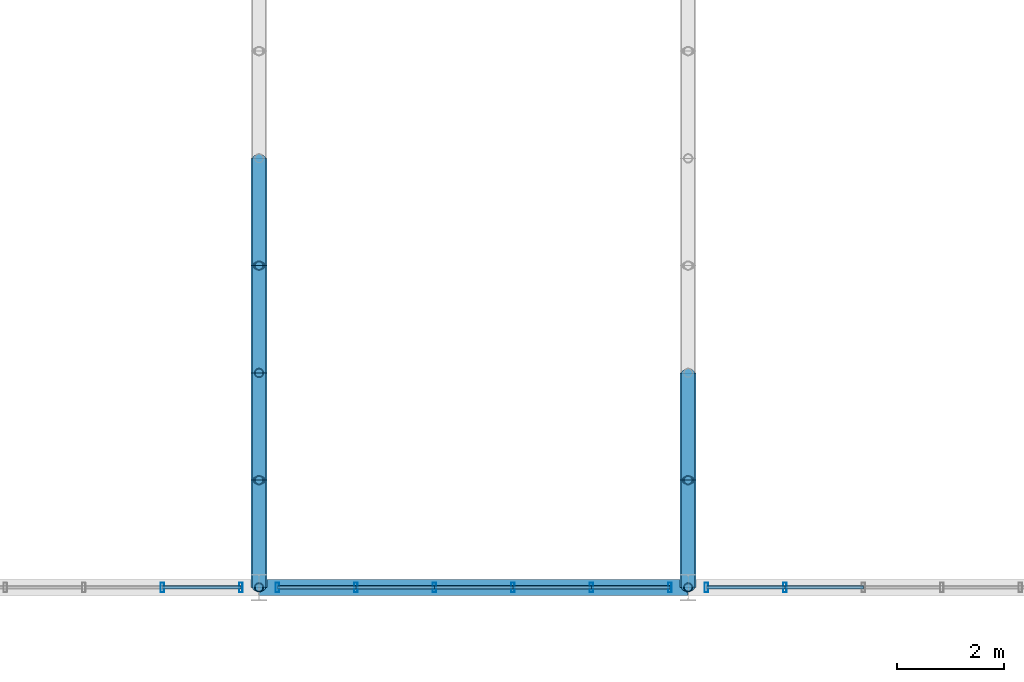
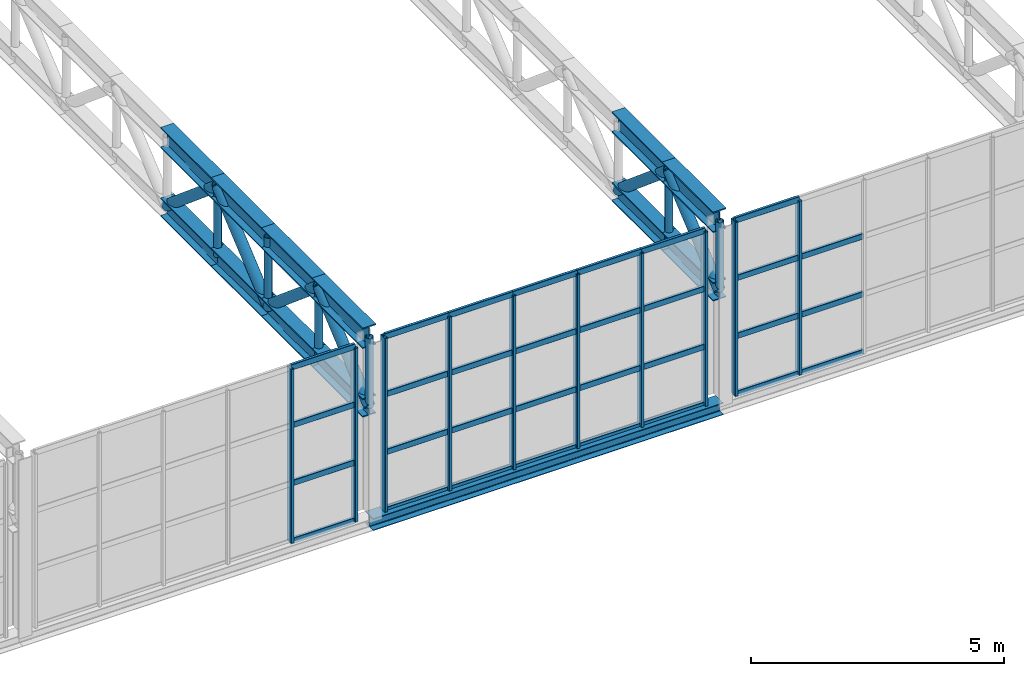
# One storey, part 78 of 143: 65 members, 1 beam, 3 elements without a shape of their own.
"""IFC4 building model written with IfcOpenShell, lengths in metres."""

from ifc_helpers import new_model, si_unit, derived_unit, direction, frame, origin, origin_2d, place, context, subcontext, project, spatial, hollow_rectangle, hollow_circle, i_section, extrude, material, material_profile, profile_set, type_object, element, aggregate, save


model = new_model("IFC4")

# Units and contexts
model_context = context("Model", 3, precision=1e-05, world=origin(), true_north=direction((0.0, 1.0)))
body_context = subcontext(model_context, "Body", "Model", "MODEL_VIEW")
ifc_project = project(units=[si_unit("LENGTHUNIT", "METRE"), si_unit("AREAUNIT", "SQUARE_METRE"), si_unit("VOLUMEUNIT", "CUBIC_METRE"), si_unit("PLANEANGLEUNIT", "RADIAN"), si_unit("MASSUNIT", "GRAM", prefix="KILO"), derived_unit("THERMALTRANSMITTANCEUNIT", [(si_unit("POWERUNIT", "WATT"), 1), (si_unit("LENGTHUNIT", "METRE"), -2), (si_unit("THERMODYNAMICTEMPERATUREUNIT", "KELVIN"), -1)])], contexts=[model_context])

# Site, building, storey
site_placement = place(None, origin())
site = spatial("IfcSite", under=ifc_project, at=site_placement, CompositionType="ELEMENT")
building_placement = place(site_placement, origin())
building = spatial("IfcBuilding", under=site, at=building_placement, Name="Keldorne Ridge Multi-Sports Centre", CompositionType="ELEMENT")
storey_placement = place(building_placement, frame((0.0, 0.0, 4.800048828125)))
storey = spatial("IfcBuildingStorey", under=building, at=storey_placement, Name="L01", CompositionType="ELEMENT", Elevation=4.800048828125)

# Beam
ifc_material_1 = material(Name="Steel S355", Category="steel")
ifc_material_profile_1 = material_profile(ifc_material_1, i_section(OverallWidth=0.300048828125, OverallDepth=0.2900390625, WebThickness=0.008544921875, FlangeThickness=0.013916015625, FilletRadius=0.027099609375, at=origin_2d()), Name="HEA 300")
ifc_profile_set_1 = profile_set([ifc_material_profile_1], Name="Steel S355")
beam_type = type_object("IfcBeamType", Name="BM-SP-04", PredefinedType="SPANDREL", material=ifc_profile_set_1)
beam_placement = place(storey_placement, frame((136.0, 6.0, -0.150146484375), z_axis=(1.0, 0.0, 0.0), x_axis=(0.0, 1.0, 0.0)))
element("IfcBeam", 1, at=beam_placement, inside=storey, type_object=beam_type, Name="Stacked Courts spandrel L01.6.5", PredefinedType="SPANDREL", context=body_context, shape_type="SweptSolid", body=[
    extrude(i_section(OverallWidth=0.300048828125, OverallDepth=0.2900390625, WebThickness=0.008544921875, FlangeThickness=0.013916015625, FilletRadius=0.027099609375, at=origin_2d()), origin(), (0.0, 0.0, 1.0), 8.0),
])

# Curtain wall, members
ifc_material_2 = material(Name="Anodized aluminium", Category="aluminium")
curtain_wall_type_1 = type_object("IfcCurtainWallType", Name="CW-CW-02", PredefinedType="NOTDEFINED", material=ifc_material_2)
curtain_wall_1_placement = place(storey_placement, origin())
curtain_wall_1 = element("IfcCurtainWall", 2, at=curtain_wall_1_placement, inside=storey, type_object=curtain_wall_type_1, Name="Lower Courts high clerestory 106", PredefinedType="NOTDEFINED")
ifc_material_profile_2 = material_profile(ifc_material_2, hollow_rectangle(XDim=0.06494140625, YDim=0.179931640625, WallThickness=0.00439453125, InnerFilletRadius=0.00439453125, OuterFilletRadius=0.009033203125, at=origin_2d()), Name="ALU MULLION 180x65x4.5")
ifc_profile_set_2 = profile_set([ifc_material_profile_2], Name="Anodized aluminium")
member_type_1 = type_object("IfcMemberType", Name="MEM-ML-01", PredefinedType="MULLION", material=ifc_profile_set_2)
member_1_placement = place(storey_placement, frame((134.196044921875, 6.0, 0.0), z_axis=(0.0, 0.0, 1.0), x_axis=(1.0, 0.0, 0.0)))
member_1 = element("IfcMember", 3, at=member_1_placement, type_object=member_type_1, Name="CW-106 vertical mullion 5", PredefinedType="MULLION", context=body_context, shape_type="SweptSolid", body=[
    extrude(hollow_rectangle(XDim=0.06494140625, YDim=0.179931640625, WallThickness=0.00439453125, InnerFilletRadius=0.00439453125, OuterFilletRadius=0.009033203125, at=origin_2d()), origin(), (0.0, 0.0, 1.0), 4.199951171875),
])
member_2_placement = place(storey_placement, frame((135.659912109375, 6.0, 0.0), z_axis=(0.0, 0.0, 1.0), x_axis=(1.0, 0.0, 0.0)))
member_2 = element("IfcMember", 4, at=member_2_placement, type_object=member_type_1, Name="CW-106 vertical mullion 6", PredefinedType="MULLION", context=body_context, shape_type="SweptSolid", body=[
    extrude(hollow_rectangle(XDim=0.06494140625, YDim=0.179931640625, WallThickness=0.00439453125, InnerFilletRadius=0.00439453125, OuterFilletRadius=0.009033203125, at=origin_2d()), origin(), (0.0, 0.0, 1.0), 4.199951171875),
])

curtain_wall_type_2 = type_object("IfcCurtainWallType", Name="CW-CW-01", PredefinedType="NOTDEFINED", material=ifc_material_2)
curtain_wall_2_placement = place(storey_placement, origin())
curtain_wall_2 = element("IfcCurtainWall", 5, at=curtain_wall_2_placement, inside=storey, type_object=curtain_wall_type_2, Name="Lower Courts high clerestory 113", PredefinedType="NOTDEFINED")
member_3_placement = place(storey_placement, frame((136.340087890625, 6.0, 0.0), z_axis=(0.0, 0.0, 1.0), x_axis=(1.0, 0.0, 0.0)))
member_3 = element("IfcMember", 6, at=member_3_placement, type_object=member_type_1, Name="CW-113 vertical mullion 1", PredefinedType="MULLION", context=body_context, shape_type="SweptSolid", body=[
    extrude(hollow_rectangle(XDim=0.06494140625, YDim=0.179931640625, WallThickness=0.00439453125, InnerFilletRadius=0.00439453125, OuterFilletRadius=0.009033203125, at=origin_2d()), origin(), (0.0, 0.0, 1.0), 4.199951171875),
])
member_4_placement = place(storey_placement, frame((137.803955078125, 6.0, 0.0), z_axis=(0.0, 0.0, 1.0), x_axis=(1.0, 0.0, 0.0)))
member_4 = element("IfcMember", 7, at=member_4_placement, type_object=member_type_1, Name="CW-113 vertical mullion 2", PredefinedType="MULLION", context=body_context, shape_type="SweptSolid", body=[
    extrude(hollow_rectangle(XDim=0.06494140625, YDim=0.179931640625, WallThickness=0.00439453125, InnerFilletRadius=0.00439453125, OuterFilletRadius=0.009033203125, at=origin_2d()), origin(), (0.0, 0.0, 1.0), 4.199951171875),
])
member_5_placement = place(storey_placement, frame((139.26806640625, 6.0, 0.0), z_axis=(0.0, 0.0, 1.0), x_axis=(1.0, 0.0, 0.0)))
member_5 = element("IfcMember", 8, at=member_5_placement, type_object=member_type_1, Name="CW-113 vertical mullion 3", PredefinedType="MULLION", context=body_context, shape_type="SweptSolid", body=[
    extrude(hollow_rectangle(XDim=0.06494140625, YDim=0.179931640625, WallThickness=0.00439453125, InnerFilletRadius=0.00439453125, OuterFilletRadius=0.009033203125, at=origin_2d()), origin(), (0.0, 0.0, 1.0), 4.199951171875),
])
member_6_placement = place(storey_placement, frame((140.73193359375, 6.0, 0.0), z_axis=(0.0, 0.0, 1.0), x_axis=(1.0, 0.0, 0.0)))
member_6 = element("IfcMember", 9, at=member_6_placement, type_object=member_type_1, Name="CW-113 vertical mullion 4", PredefinedType="MULLION", context=body_context, shape_type="SweptSolid", body=[
    extrude(hollow_rectangle(XDim=0.06494140625, YDim=0.179931640625, WallThickness=0.00439453125, InnerFilletRadius=0.00439453125, OuterFilletRadius=0.009033203125, at=origin_2d()), origin(), (0.0, 0.0, 1.0), 4.199951171875),
])
member_7_placement = place(storey_placement, frame((142.196044921875, 6.0, 0.0), z_axis=(0.0, 0.0, 1.0), x_axis=(1.0, 0.0, 0.0)))
member_7 = element("IfcMember", 10, at=member_7_placement, type_object=member_type_1, Name="CW-113 vertical mullion 5", PredefinedType="MULLION", context=body_context, shape_type="SweptSolid", body=[
    extrude(hollow_rectangle(XDim=0.06494140625, YDim=0.179931640625, WallThickness=0.00439453125, InnerFilletRadius=0.00439453125, OuterFilletRadius=0.009033203125, at=origin_2d()), origin(), (0.0, 0.0, 1.0), 4.199951171875),
])
member_8_placement = place(storey_placement, frame((143.659912109375, 6.0, 0.0), z_axis=(0.0, 0.0, 1.0), x_axis=(1.0, 0.0, 0.0)))
member_8 = element("IfcMember", 11, at=member_8_placement, type_object=member_type_1, Name="CW-113 vertical mullion 6", PredefinedType="MULLION", context=body_context, shape_type="SweptSolid", body=[
    extrude(hollow_rectangle(XDim=0.06494140625, YDim=0.179931640625, WallThickness=0.00439453125, InnerFilletRadius=0.00439453125, OuterFilletRadius=0.009033203125, at=origin_2d()), origin(), (0.0, 0.0, 1.0), 4.199951171875),
])

curtain_wall_type_3 = type_object("IfcCurtainWallType", Name="CW-CW-07", PredefinedType="NOTDEFINED", material=ifc_material_2)
curtain_wall_3_placement = place(storey_placement, origin())
curtain_wall_3 = element("IfcCurtainWall", 12, at=curtain_wall_3_placement, inside=storey, type_object=curtain_wall_type_3, Name="Lower Courts high clerestory 119", PredefinedType="NOTDEFINED")
member_9_placement = place(storey_placement, frame((144.340087890625, 6.0, 0.0), z_axis=(0.0, 0.0, 1.0), x_axis=(1.0, 0.0, 0.0)))
member_9 = element("IfcMember", 13, at=member_9_placement, type_object=member_type_1, Name="CW-119 vertical mullion 1", PredefinedType="MULLION", context=body_context, shape_type="SweptSolid", body=[
    extrude(hollow_rectangle(XDim=0.06494140625, YDim=0.179931640625, WallThickness=0.00439453125, InnerFilletRadius=0.00439453125, OuterFilletRadius=0.009033203125, at=origin_2d()), origin(), (0.0, 0.0, 1.0), 4.199951171875),
])
member_10_placement = place(storey_placement, frame((145.803955078125, 6.0, 0.0), z_axis=(0.0, 0.0, 1.0), x_axis=(1.0, 0.0, 0.0)))
member_10 = element("IfcMember", 14, at=member_10_placement, type_object=member_type_1, Name="CW-119 vertical mullion 2", PredefinedType="MULLION", context=body_context, shape_type="SweptSolid", body=[
    extrude(hollow_rectangle(XDim=0.06494140625, YDim=0.179931640625, WallThickness=0.00439453125, InnerFilletRadius=0.00439453125, OuterFilletRadius=0.009033203125, at=origin_2d()), origin(), (0.0, 0.0, 1.0), 4.199951171875),
])

# Members
ifc_material_profile_3 = material_profile(ifc_material_1, i_section(OverallWidth=0.300048828125, OverallDepth=0.5, WebThickness=0.014404296875, FlangeThickness=0.028076171875, FilletRadius=0.027099609375, at=origin_2d()), Name="HEB 500")
ifc_profile_set_3 = profile_set([ifc_material_profile_3], Name="Steel S355")
member_type_2 = type_object("IfcMemberType", Name="MEM-TC-03", PredefinedType="CHORD", material=ifc_profile_set_3)
for number, where, z_axis, x_axis, name in (
    (15, (136.0, 6.0, 4.31005859375), (0.0, 1.0, 0.0), (-1.0, 0.0, 0.0), "Stacked Courts Warren TRUSS WT-L02-05 top chord 1"),
    (16, (136.0, 8.0, 4.31005859375), (0.0, 1.0, 0.0), (-1.0, 0.0, 0.0), "Stacked Courts Warren TRUSS WT-L02-05 top chord 2"),
    (17, (136.0, 10.0, 4.31005859375), (0.0, 1.0, 0.0), (-1.0, 0.0, 0.0), "Stacked Courts Warren TRUSS WT-L02-05 top chord 3"),
    (18, (136.0, 12.0, 4.31005859375), (0.0, 1.0, 0.0), (-1.0, 0.0, 0.0), "Stacked Courts Warren TRUSS WT-L02-05 top chord 4"),
    (19, (144.0, 6.0, 4.31005859375), (0.0, 1.0, 0.0), (-1.0, 0.0, 0.0), "Stacked Courts Warren TRUSS WT-L02-06 top chord 1"),
    (20, (144.0, 8.0, 4.31005859375), (0.0, 1.0, 0.0), (-1.0, 0.0, 0.0), "Stacked Courts Warren TRUSS WT-L02-06 top chord 2"),
):
    element("IfcMember", number, at=place(storey_placement, frame(where, z_axis=z_axis, x_axis=x_axis)), inside=storey, type_object=member_type_2, Name=name, PredefinedType="CHORD", context=body_context, shape_type="SweptSolid", body=[
        extrude(i_section(OverallWidth=0.300048828125, OverallDepth=0.5, WebThickness=0.014404296875, FlangeThickness=0.028076171875, FilletRadius=0.027099609375, at=origin_2d()), origin(), (0.0, 0.0, 1.0), 2.0),
    ])
ifc_material_profile_4 = material_profile(ifc_material_1, i_section(OverallWidth=0.300048828125, OverallDepth=0.449951171875, WebThickness=0.013916015625, FlangeThickness=0.02587890625, FilletRadius=0.027099609375, at=origin_2d()), Name="HEB 450")
ifc_profile_set_4 = profile_set([ifc_material_profile_4], Name="Steel S355")
member_type_3 = type_object("IfcMemberType", Name="MEM-TC-04", PredefinedType="CHORD", material=ifc_profile_set_4)
for number, where, z_axis, x_axis, name in (
    (21, (136.0, 6.0, 2.6298828125), (0.0, 1.0, 0.0), (-1.0, 0.0, 0.0), "Stacked Courts Warren TRUSS WT-L02-05 bottom chord 1"),
    (22, (136.0, 8.0, 2.6298828125), (0.0, 1.0, 0.0), (-1.0, 0.0, 0.0), "Stacked Courts Warren TRUSS WT-L02-05 bottom chord 2"),
    (23, (136.0, 10.0, 2.6298828125), (0.0, 1.0, 0.0), (-1.0, 0.0, 0.0), "Stacked Courts Warren TRUSS WT-L02-05 bottom chord 3"),
    (24, (136.0, 12.0, 2.6298828125), (0.0, 1.0, 0.0), (-1.0, 0.0, 0.0), "Stacked Courts Warren TRUSS WT-L02-05 bottom chord 4"),
    (25, (144.0, 6.0, 2.6298828125), (0.0, 1.0, 0.0), (-1.0, 0.0, 0.0), "Stacked Courts Warren TRUSS WT-L02-06 bottom chord 1"),
    (26, (144.0, 8.0, 2.6298828125), (0.0, 1.0, 0.0), (-1.0, 0.0, 0.0), "Stacked Courts Warren TRUSS WT-L02-06 bottom chord 2"),
):
    element("IfcMember", number, at=place(storey_placement, frame(where, z_axis=z_axis, x_axis=x_axis)), inside=storey, type_object=member_type_3, Name=name, PredefinedType="CHORD", context=body_context, shape_type="SweptSolid", body=[
        extrude(i_section(OverallWidth=0.300048828125, OverallDepth=0.449951171875, WebThickness=0.013916015625, FlangeThickness=0.02587890625, FilletRadius=0.027099609375, at=origin_2d()), origin(), (0.0, 0.0, 1.0), 2.0),
    ])
ifc_material_profile_5 = material_profile(ifc_material_1, hollow_circle(Radius=0.122314453125, WallThickness=0.012451171875, at=origin_2d()), Name="CHS 244.5x12.5")
ifc_profile_set_5 = profile_set([ifc_material_profile_5], Name="Steel S355")
member_type_4 = type_object("IfcMemberType", Name="MEM-TD-02", PredefinedType="BRACE", material=ifc_profile_set_5)
for number, where, z_axis, x_axis, name in (
    (27, (136.0, 6.0, 2.6298828125), (0.0, 0.765671721121, 0.643231541108), (-1.0, 0.0, 0.0), "Stacked Courts Warren TRUSS WT-L02-05 diagonal 1"),
    (28, (136.0, 8.0, 4.31005859375), (0.0, 0.765671721121, -0.643231541108), (-1.0, 0.0, 0.0), "Stacked Courts Warren TRUSS WT-L02-05 diagonal 2"),
    (29, (136.0, 10.0, 2.6298828125), (0.0, 0.765671721121, 0.643231541108), (-1.0, 0.0, 0.0), "Stacked Courts Warren TRUSS WT-L02-05 diagonal 3"),
    (30, (136.0, 12.0, 4.31005859375), (0.0, 0.765671721121, -0.643231541108), (-1.0, 0.0, 0.0), "Stacked Courts Warren TRUSS WT-L02-05 diagonal 4"),
    (31, (144.0, 6.0, 2.6298828125), (0.0, 0.765671721121, 0.643231541108), (-1.0, 0.0, 0.0), "Stacked Courts Warren TRUSS WT-L02-06 diagonal 1"),
    (32, (144.0, 8.0, 4.31005859375), (0.0, 0.765671721121, -0.643231541108), (-1.0, 0.0, 0.0), "Stacked Courts Warren TRUSS WT-L02-06 diagonal 2"),
):
    element("IfcMember", number, at=place(storey_placement, frame(where, z_axis=z_axis, x_axis=x_axis)), inside=storey, type_object=member_type_4, Name=name, PredefinedType="BRACE", context=body_context, shape_type="SweptSolid", body=[
        extrude(hollow_circle(Radius=0.122314453125, WallThickness=0.012451171875, at=origin_2d()), origin(), (0.0, 0.0, 1.0), 2.612060546875),
    ])

# Member
ifc_material_profile_6 = material_profile(ifc_material_2, hollow_rectangle(XDim=0.06494140625, YDim=0.139892578125, WallThickness=0.00439453125, InnerFilletRadius=0.00439453125, OuterFilletRadius=0.009033203125, at=origin_2d()), Name="ALU TRANSOM 140x65x4.5")
ifc_profile_set_6 = profile_set([ifc_material_profile_6], Name="Anodized aluminium")
member_type_5 = type_object("IfcMemberType", Name="MEM-TR-01", PredefinedType="USERDEFINED", material=ifc_profile_set_6)
member_11_placement = place(storey_placement, frame((134.196044921875, 6.0, 0.0), z_axis=(1.0, 0.0, 0.0), x_axis=(0.0, 1.0, 0.0)))
member_11 = element("IfcMember", 33, at=member_11_placement, type_object=member_type_5, Name="CW-106 transom 5.1", ObjectType="TRANSOM", PredefinedType="USERDEFINED", context=body_context, shape_type="SweptSolid", body=[
    extrude(hollow_rectangle(XDim=0.06494140625, YDim=0.139892578125, WallThickness=0.00439453125, InnerFilletRadius=0.00439453125, OuterFilletRadius=0.009033203125, at=origin_2d()), origin(), (0.0, 0.0, 1.0), 1.4638671875),
])

member_12_placement = place(storey_placement, frame((134.196044921875, 6.0, 1.39990234375), z_axis=(1.0, 0.0, 0.0), x_axis=(0.0, 1.0, 0.0)))
member_12 = element("IfcMember", 34, at=member_12_placement, type_object=member_type_5, Name="CW-106 transom 5.2", ObjectType="TRANSOM", PredefinedType="USERDEFINED", context=body_context, shape_type="SweptSolid", body=[
    extrude(hollow_rectangle(XDim=0.06494140625, YDim=0.139892578125, WallThickness=0.00439453125, InnerFilletRadius=0.00439453125, OuterFilletRadius=0.009033203125, at=origin_2d()), origin(), (0.0, 0.0, 1.0), 1.4638671875),
])

member_13_placement = place(storey_placement, frame((134.196044921875, 6.0, 2.800048828125), z_axis=(1.0, 0.0, 0.0), x_axis=(0.0, 1.0, 0.0)))
member_13 = element("IfcMember", 35, at=member_13_placement, type_object=member_type_5, Name="CW-106 transom 5.3", ObjectType="TRANSOM", PredefinedType="USERDEFINED", context=body_context, shape_type="SweptSolid", body=[
    extrude(hollow_rectangle(XDim=0.06494140625, YDim=0.139892578125, WallThickness=0.00439453125, InnerFilletRadius=0.00439453125, OuterFilletRadius=0.009033203125, at=origin_2d()), origin(), (0.0, 0.0, 1.0), 1.4638671875),
])

member_14_placement = place(storey_placement, frame((134.196044921875, 6.0, 4.199951171875), z_axis=(1.0, 0.0, 0.0), x_axis=(0.0, 1.0, 0.0)))
member_14 = element("IfcMember", 36, at=member_14_placement, type_object=member_type_5, Name="CW-106 transom 5.4", ObjectType="TRANSOM", PredefinedType="USERDEFINED", context=body_context, shape_type="SweptSolid", body=[
    extrude(hollow_rectangle(XDim=0.06494140625, YDim=0.139892578125, WallThickness=0.00439453125, InnerFilletRadius=0.00439453125, OuterFilletRadius=0.009033203125, at=origin_2d()), origin(), (0.0, 0.0, 1.0), 1.4638671875),
])

aggregate(curtain_wall_1, [member_1, member_2, member_11, member_12, member_13, member_14])

member_15_placement = place(storey_placement, frame((136.340087890625, 6.0, 0.0), z_axis=(1.0, 0.0, 0.0), x_axis=(0.0, 1.0, 0.0)))
member_15 = element("IfcMember", 37, at=member_15_placement, type_object=member_type_5, Name="CW-113 transom 1.1", ObjectType="TRANSOM", PredefinedType="USERDEFINED", context=body_context, shape_type="SweptSolid", body=[
    extrude(hollow_rectangle(XDim=0.06494140625, YDim=0.139892578125, WallThickness=0.00439453125, InnerFilletRadius=0.00439453125, OuterFilletRadius=0.009033203125, at=origin_2d()), origin(), (0.0, 0.0, 1.0), 1.4638671875),
])

member_16_placement = place(storey_placement, frame((136.340087890625, 6.0, 1.39990234375), z_axis=(1.0, 0.0, 0.0), x_axis=(0.0, 1.0, 0.0)))
member_16 = element("IfcMember", 38, at=member_16_placement, type_object=member_type_5, Name="CW-113 transom 1.2", ObjectType="TRANSOM", PredefinedType="USERDEFINED", context=body_context, shape_type="SweptSolid", body=[
    extrude(hollow_rectangle(XDim=0.06494140625, YDim=0.139892578125, WallThickness=0.00439453125, InnerFilletRadius=0.00439453125, OuterFilletRadius=0.009033203125, at=origin_2d()), origin(), (0.0, 0.0, 1.0), 1.4638671875),
])

member_17_placement = place(storey_placement, frame((136.340087890625, 6.0, 2.800048828125), z_axis=(1.0, 0.0, 0.0), x_axis=(0.0, 1.0, 0.0)))
member_17 = element("IfcMember", 39, at=member_17_placement, type_object=member_type_5, Name="CW-113 transom 1.3", ObjectType="TRANSOM", PredefinedType="USERDEFINED", context=body_context, shape_type="SweptSolid", body=[
    extrude(hollow_rectangle(XDim=0.06494140625, YDim=0.139892578125, WallThickness=0.00439453125, InnerFilletRadius=0.00439453125, OuterFilletRadius=0.009033203125, at=origin_2d()), origin(), (0.0, 0.0, 1.0), 1.4638671875),
])

member_18_placement = place(storey_placement, frame((136.340087890625, 6.0, 4.199951171875), z_axis=(1.0, 0.0, 0.0), x_axis=(0.0, 1.0, 0.0)))
member_18 = element("IfcMember", 40, at=member_18_placement, type_object=member_type_5, Name="CW-113 transom 1.4", ObjectType="TRANSOM", PredefinedType="USERDEFINED", context=body_context, shape_type="SweptSolid", body=[
    extrude(hollow_rectangle(XDim=0.06494140625, YDim=0.139892578125, WallThickness=0.00439453125, InnerFilletRadius=0.00439453125, OuterFilletRadius=0.009033203125, at=origin_2d()), origin(), (0.0, 0.0, 1.0), 1.4638671875),
])

member_19_placement = place(storey_placement, frame((137.803955078125, 6.0, 0.0), z_axis=(1.0, 0.0, 0.0), x_axis=(0.0, 1.0, 0.0)))
member_19 = element("IfcMember", 41, at=member_19_placement, type_object=member_type_5, Name="CW-113 transom 2.1", ObjectType="TRANSOM", PredefinedType="USERDEFINED", context=body_context, shape_type="SweptSolid", body=[
    extrude(hollow_rectangle(XDim=0.06494140625, YDim=0.139892578125, WallThickness=0.00439453125, InnerFilletRadius=0.00439453125, OuterFilletRadius=0.009033203125, at=origin_2d()), origin(), (0.0, 0.0, 1.0), 1.464111328125),
])

member_20_placement = place(storey_placement, frame((137.803955078125, 6.0, 1.39990234375), z_axis=(1.0, 0.0, 0.0), x_axis=(0.0, 1.0, 0.0)))
member_20 = element("IfcMember", 42, at=member_20_placement, type_object=member_type_5, Name="CW-113 transom 2.2", ObjectType="TRANSOM", PredefinedType="USERDEFINED", context=body_context, shape_type="SweptSolid", body=[
    extrude(hollow_rectangle(XDim=0.06494140625, YDim=0.139892578125, WallThickness=0.00439453125, InnerFilletRadius=0.00439453125, OuterFilletRadius=0.009033203125, at=origin_2d()), origin(), (0.0, 0.0, 1.0), 1.464111328125),
])

member_21_placement = place(storey_placement, frame((137.803955078125, 6.0, 2.800048828125), z_axis=(1.0, 0.0, 0.0), x_axis=(0.0, 1.0, 0.0)))
member_21 = element("IfcMember", 43, at=member_21_placement, type_object=member_type_5, Name="CW-113 transom 2.3", ObjectType="TRANSOM", PredefinedType="USERDEFINED", context=body_context, shape_type="SweptSolid", body=[
    extrude(hollow_rectangle(XDim=0.06494140625, YDim=0.139892578125, WallThickness=0.00439453125, InnerFilletRadius=0.00439453125, OuterFilletRadius=0.009033203125, at=origin_2d()), origin(), (0.0, 0.0, 1.0), 1.464111328125),
])

member_22_placement = place(storey_placement, frame((137.803955078125, 6.0, 4.199951171875), z_axis=(1.0, 0.0, 0.0), x_axis=(0.0, 1.0, 0.0)))
member_22 = element("IfcMember", 44, at=member_22_placement, type_object=member_type_5, Name="CW-113 transom 2.4", ObjectType="TRANSOM", PredefinedType="USERDEFINED", context=body_context, shape_type="SweptSolid", body=[
    extrude(hollow_rectangle(XDim=0.06494140625, YDim=0.139892578125, WallThickness=0.00439453125, InnerFilletRadius=0.00439453125, OuterFilletRadius=0.009033203125, at=origin_2d()), origin(), (0.0, 0.0, 1.0), 1.464111328125),
])

member_23_placement = place(storey_placement, frame((139.26806640625, 6.0, 0.0), z_axis=(1.0, 0.0, 0.0), x_axis=(0.0, 1.0, 0.0)))
member_23 = element("IfcMember", 45, at=member_23_placement, type_object=member_type_5, Name="CW-113 transom 3.1", ObjectType="TRANSOM", PredefinedType="USERDEFINED", context=body_context, shape_type="SweptSolid", body=[
    extrude(hollow_rectangle(XDim=0.06494140625, YDim=0.139892578125, WallThickness=0.00439453125, InnerFilletRadius=0.00439453125, OuterFilletRadius=0.009033203125, at=origin_2d()), origin(), (0.0, 0.0, 1.0), 1.4638671875),
])

member_24_placement = place(storey_placement, frame((139.26806640625, 6.0, 1.39990234375), z_axis=(1.0, 0.0, 0.0), x_axis=(0.0, 1.0, 0.0)))
member_24 = element("IfcMember", 46, at=member_24_placement, type_object=member_type_5, Name="CW-113 transom 3.2", ObjectType="TRANSOM", PredefinedType="USERDEFINED", context=body_context, shape_type="SweptSolid", body=[
    extrude(hollow_rectangle(XDim=0.06494140625, YDim=0.139892578125, WallThickness=0.00439453125, InnerFilletRadius=0.00439453125, OuterFilletRadius=0.009033203125, at=origin_2d()), origin(), (0.0, 0.0, 1.0), 1.4638671875),
])

member_25_placement = place(storey_placement, frame((139.26806640625, 6.0, 2.800048828125), z_axis=(1.0, 0.0, 0.0), x_axis=(0.0, 1.0, 0.0)))
member_25 = element("IfcMember", 47, at=member_25_placement, type_object=member_type_5, Name="CW-113 transom 3.3", ObjectType="TRANSOM", PredefinedType="USERDEFINED", context=body_context, shape_type="SweptSolid", body=[
    extrude(hollow_rectangle(XDim=0.06494140625, YDim=0.139892578125, WallThickness=0.00439453125, InnerFilletRadius=0.00439453125, OuterFilletRadius=0.009033203125, at=origin_2d()), origin(), (0.0, 0.0, 1.0), 1.4638671875),
])

member_26_placement = place(storey_placement, frame((139.26806640625, 6.0, 4.199951171875), z_axis=(1.0, 0.0, 0.0), x_axis=(0.0, 1.0, 0.0)))
member_26 = element("IfcMember", 48, at=member_26_placement, type_object=member_type_5, Name="CW-113 transom 3.4", ObjectType="TRANSOM", PredefinedType="USERDEFINED", context=body_context, shape_type="SweptSolid", body=[
    extrude(hollow_rectangle(XDim=0.06494140625, YDim=0.139892578125, WallThickness=0.00439453125, InnerFilletRadius=0.00439453125, OuterFilletRadius=0.009033203125, at=origin_2d()), origin(), (0.0, 0.0, 1.0), 1.4638671875),
])

member_27_placement = place(storey_placement, frame((140.73193359375, 6.0, 0.0), z_axis=(1.0, 0.0, 0.0), x_axis=(0.0, 1.0, 0.0)))
member_27 = element("IfcMember", 49, at=member_27_placement, type_object=member_type_5, Name="CW-113 transom 4.1", ObjectType="TRANSOM", PredefinedType="USERDEFINED", context=body_context, shape_type="SweptSolid", body=[
    extrude(hollow_rectangle(XDim=0.06494140625, YDim=0.139892578125, WallThickness=0.00439453125, InnerFilletRadius=0.00439453125, OuterFilletRadius=0.009033203125, at=origin_2d()), origin(), (0.0, 0.0, 1.0), 1.464111328125),
])

member_28_placement = place(storey_placement, frame((140.73193359375, 6.0, 1.39990234375), z_axis=(1.0, 0.0, 0.0), x_axis=(0.0, 1.0, 0.0)))
member_28 = element("IfcMember", 50, at=member_28_placement, type_object=member_type_5, Name="CW-113 transom 4.2", ObjectType="TRANSOM", PredefinedType="USERDEFINED", context=body_context, shape_type="SweptSolid", body=[
    extrude(hollow_rectangle(XDim=0.06494140625, YDim=0.139892578125, WallThickness=0.00439453125, InnerFilletRadius=0.00439453125, OuterFilletRadius=0.009033203125, at=origin_2d()), origin(), (0.0, 0.0, 1.0), 1.464111328125),
])

member_29_placement = place(storey_placement, frame((140.73193359375, 6.0, 2.800048828125), z_axis=(1.0, 0.0, 0.0), x_axis=(0.0, 1.0, 0.0)))
member_29 = element("IfcMember", 51, at=member_29_placement, type_object=member_type_5, Name="CW-113 transom 4.3", ObjectType="TRANSOM", PredefinedType="USERDEFINED", context=body_context, shape_type="SweptSolid", body=[
    extrude(hollow_rectangle(XDim=0.06494140625, YDim=0.139892578125, WallThickness=0.00439453125, InnerFilletRadius=0.00439453125, OuterFilletRadius=0.009033203125, at=origin_2d()), origin(), (0.0, 0.0, 1.0), 1.464111328125),
])

member_30_placement = place(storey_placement, frame((140.73193359375, 6.0, 4.199951171875), z_axis=(1.0, 0.0, 0.0), x_axis=(0.0, 1.0, 0.0)))
member_30 = element("IfcMember", 52, at=member_30_placement, type_object=member_type_5, Name="CW-113 transom 4.4", ObjectType="TRANSOM", PredefinedType="USERDEFINED", context=body_context, shape_type="SweptSolid", body=[
    extrude(hollow_rectangle(XDim=0.06494140625, YDim=0.139892578125, WallThickness=0.00439453125, InnerFilletRadius=0.00439453125, OuterFilletRadius=0.009033203125, at=origin_2d()), origin(), (0.0, 0.0, 1.0), 1.464111328125),
])

member_31_placement = place(storey_placement, frame((142.196044921875, 6.0, 0.0), z_axis=(1.0, 0.0, 0.0), x_axis=(0.0, 1.0, 0.0)))
member_31 = element("IfcMember", 53, at=member_31_placement, type_object=member_type_5, Name="CW-113 transom 5.1", ObjectType="TRANSOM", PredefinedType="USERDEFINED", context=body_context, shape_type="SweptSolid", body=[
    extrude(hollow_rectangle(XDim=0.06494140625, YDim=0.139892578125, WallThickness=0.00439453125, InnerFilletRadius=0.00439453125, OuterFilletRadius=0.009033203125, at=origin_2d()), origin(), (0.0, 0.0, 1.0), 1.4638671875),
])

member_32_placement = place(storey_placement, frame((142.196044921875, 6.0, 1.39990234375), z_axis=(1.0, 0.0, 0.0), x_axis=(0.0, 1.0, 0.0)))
member_32 = element("IfcMember", 54, at=member_32_placement, type_object=member_type_5, Name="CW-113 transom 5.2", ObjectType="TRANSOM", PredefinedType="USERDEFINED", context=body_context, shape_type="SweptSolid", body=[
    extrude(hollow_rectangle(XDim=0.06494140625, YDim=0.139892578125, WallThickness=0.00439453125, InnerFilletRadius=0.00439453125, OuterFilletRadius=0.009033203125, at=origin_2d()), origin(), (0.0, 0.0, 1.0), 1.4638671875),
])

member_33_placement = place(storey_placement, frame((142.196044921875, 6.0, 2.800048828125), z_axis=(1.0, 0.0, 0.0), x_axis=(0.0, 1.0, 0.0)))
member_33 = element("IfcMember", 55, at=member_33_placement, type_object=member_type_5, Name="CW-113 transom 5.3", ObjectType="TRANSOM", PredefinedType="USERDEFINED", context=body_context, shape_type="SweptSolid", body=[
    extrude(hollow_rectangle(XDim=0.06494140625, YDim=0.139892578125, WallThickness=0.00439453125, InnerFilletRadius=0.00439453125, OuterFilletRadius=0.009033203125, at=origin_2d()), origin(), (0.0, 0.0, 1.0), 1.4638671875),
])

member_34_placement = place(storey_placement, frame((142.196044921875, 6.0, 4.199951171875), z_axis=(1.0, 0.0, 0.0), x_axis=(0.0, 1.0, 0.0)))
member_34 = element("IfcMember", 56, at=member_34_placement, type_object=member_type_5, Name="CW-113 transom 5.4", ObjectType="TRANSOM", PredefinedType="USERDEFINED", context=body_context, shape_type="SweptSolid", body=[
    extrude(hollow_rectangle(XDim=0.06494140625, YDim=0.139892578125, WallThickness=0.00439453125, InnerFilletRadius=0.00439453125, OuterFilletRadius=0.009033203125, at=origin_2d()), origin(), (0.0, 0.0, 1.0), 1.4638671875),
])

aggregate(curtain_wall_2, [member_3, member_4, member_5, member_6, member_7, member_8, member_15, member_16, member_17, member_18, member_19, member_20, member_21, member_22, member_23, member_24, member_25, member_26, member_27, member_28, member_29, member_30, member_31, member_32, member_33, member_34])

member_35_placement = place(storey_placement, frame((144.340087890625, 6.0, 0.0), z_axis=(1.0, 0.0, 0.0), x_axis=(0.0, 1.0, 0.0)))
member_35 = element("IfcMember", 57, at=member_35_placement, type_object=member_type_5, Name="CW-119 transom 1.1", ObjectType="TRANSOM", PredefinedType="USERDEFINED", context=body_context, shape_type="SweptSolid", body=[
    extrude(hollow_rectangle(XDim=0.06494140625, YDim=0.139892578125, WallThickness=0.00439453125, InnerFilletRadius=0.00439453125, OuterFilletRadius=0.009033203125, at=origin_2d()), origin(), (0.0, 0.0, 1.0), 1.4638671875),
])

member_36_placement = place(storey_placement, frame((144.340087890625, 6.0, 1.39990234375), z_axis=(1.0, 0.0, 0.0), x_axis=(0.0, 1.0, 0.0)))
member_36 = element("IfcMember", 58, at=member_36_placement, type_object=member_type_5, Name="CW-119 transom 1.2", ObjectType="TRANSOM", PredefinedType="USERDEFINED", context=body_context, shape_type="SweptSolid", body=[
    extrude(hollow_rectangle(XDim=0.06494140625, YDim=0.139892578125, WallThickness=0.00439453125, InnerFilletRadius=0.00439453125, OuterFilletRadius=0.009033203125, at=origin_2d()), origin(), (0.0, 0.0, 1.0), 1.4638671875),
])

member_37_placement = place(storey_placement, frame((144.340087890625, 6.0, 2.800048828125), z_axis=(1.0, 0.0, 0.0), x_axis=(0.0, 1.0, 0.0)))
member_37 = element("IfcMember", 59, at=member_37_placement, type_object=member_type_5, Name="CW-119 transom 1.3", ObjectType="TRANSOM", PredefinedType="USERDEFINED", context=body_context, shape_type="SweptSolid", body=[
    extrude(hollow_rectangle(XDim=0.06494140625, YDim=0.139892578125, WallThickness=0.00439453125, InnerFilletRadius=0.00439453125, OuterFilletRadius=0.009033203125, at=origin_2d()), origin(), (0.0, 0.0, 1.0), 1.4638671875),
])

member_38_placement = place(storey_placement, frame((144.340087890625, 6.0, 4.199951171875), z_axis=(1.0, 0.0, 0.0), x_axis=(0.0, 1.0, 0.0)))
member_38 = element("IfcMember", 60, at=member_38_placement, type_object=member_type_5, Name="CW-119 transom 1.4", ObjectType="TRANSOM", PredefinedType="USERDEFINED", context=body_context, shape_type="SweptSolid", body=[
    extrude(hollow_rectangle(XDim=0.06494140625, YDim=0.139892578125, WallThickness=0.00439453125, InnerFilletRadius=0.00439453125, OuterFilletRadius=0.009033203125, at=origin_2d()), origin(), (0.0, 0.0, 1.0), 1.4638671875),
])

member_39_placement = place(storey_placement, frame((145.803955078125, 6.0, 0.0), z_axis=(1.0, 0.0, 0.0), x_axis=(0.0, 1.0, 0.0)))
member_39 = element("IfcMember", 61, at=member_39_placement, type_object=member_type_5, Name="CW-119 transom 2.1", ObjectType="TRANSOM", PredefinedType="USERDEFINED", context=body_context, shape_type="SweptSolid", body=[
    extrude(hollow_rectangle(XDim=0.06494140625, YDim=0.139892578125, WallThickness=0.00439453125, InnerFilletRadius=0.00439453125, OuterFilletRadius=0.009033203125, at=origin_2d()), origin(), (0.0, 0.0, 1.0), 1.464111328125),
])

member_40_placement = place(storey_placement, frame((145.803955078125, 6.0, 1.39990234375), z_axis=(1.0, 0.0, 0.0), x_axis=(0.0, 1.0, 0.0)))
member_40 = element("IfcMember", 62, at=member_40_placement, type_object=member_type_5, Name="CW-119 transom 2.2", ObjectType="TRANSOM", PredefinedType="USERDEFINED", context=body_context, shape_type="SweptSolid", body=[
    extrude(hollow_rectangle(XDim=0.06494140625, YDim=0.139892578125, WallThickness=0.00439453125, InnerFilletRadius=0.00439453125, OuterFilletRadius=0.009033203125, at=origin_2d()), origin(), (0.0, 0.0, 1.0), 1.464111328125),
])

member_41_placement = place(storey_placement, frame((145.803955078125, 6.0, 2.800048828125), z_axis=(1.0, 0.0, 0.0), x_axis=(0.0, 1.0, 0.0)))
member_41 = element("IfcMember", 63, at=member_41_placement, type_object=member_type_5, Name="CW-119 transom 2.3", ObjectType="TRANSOM", PredefinedType="USERDEFINED", context=body_context, shape_type="SweptSolid", body=[
    extrude(hollow_rectangle(XDim=0.06494140625, YDim=0.139892578125, WallThickness=0.00439453125, InnerFilletRadius=0.00439453125, OuterFilletRadius=0.009033203125, at=origin_2d()), origin(), (0.0, 0.0, 1.0), 1.464111328125),
])

aggregate(curtain_wall_3, [member_9, member_10, member_35, member_36, member_37, member_38, member_39, member_40, member_41])

# Members
ifc_material_profile_7 = material_profile(ifc_material_1, hollow_circle(Radius=0.084228515625, WallThickness=0.010009765625, at=origin_2d()), Name="CHS 168.3x10")
ifc_profile_set_7 = profile_set([ifc_material_profile_7], Name="Steel S355")
member_type_6 = type_object("IfcMemberType", Name="MEM-TV-01", PredefinedType="STRUT", material=ifc_profile_set_7)
for number, where, z_axis, x_axis, name in (
    (64, (136.0, 6.0, 2.6298828125), (0.0, 0.0, 1.0), (1.0, 0.0, 0.0), "Stacked Courts Warren TRUSS WT-L02-05 post 1"),
    (65, (136.0, 8.0, 2.6298828125), (0.0, 0.0, 1.0), (1.0, 0.0, 0.0), "Stacked Courts Warren TRUSS WT-L02-05 post 2"),
    (66, (136.0, 10.0, 2.6298828125), (0.0, 0.0, 1.0), (1.0, 0.0, 0.0), "Stacked Courts Warren TRUSS WT-L02-05 post 3"),
    (67, (136.0, 12.0, 2.6298828125), (0.0, 0.0, 1.0), (1.0, 0.0, 0.0), "Stacked Courts Warren TRUSS WT-L02-05 post 4"),
    (68, (144.0, 6.0, 2.6298828125), (0.0, 0.0, 1.0), (1.0, 0.0, 0.0), "Stacked Courts Warren TRUSS WT-L02-06 post 1"),
    (69, (144.0, 8.0, 2.6298828125), (0.0, 0.0, 1.0), (1.0, 0.0, 0.0), "Stacked Courts Warren TRUSS WT-L02-06 post 2"),
):
    element("IfcMember", number, at=place(storey_placement, frame(where, z_axis=z_axis, x_axis=x_axis)), inside=storey, type_object=member_type_6, Name=name, PredefinedType="STRUT", context=body_context, shape_type="SweptSolid", body=[
        extrude(hollow_circle(Radius=0.084228515625, WallThickness=0.010009765625, at=origin_2d()), origin(), (0.0, 0.0, 1.0), 1.68017578125),
    ])

save(model, "model.ifc")
